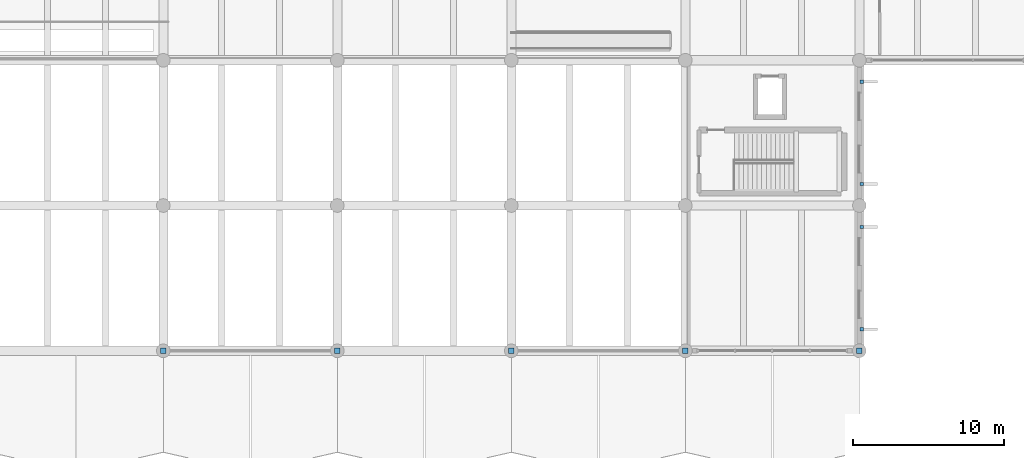
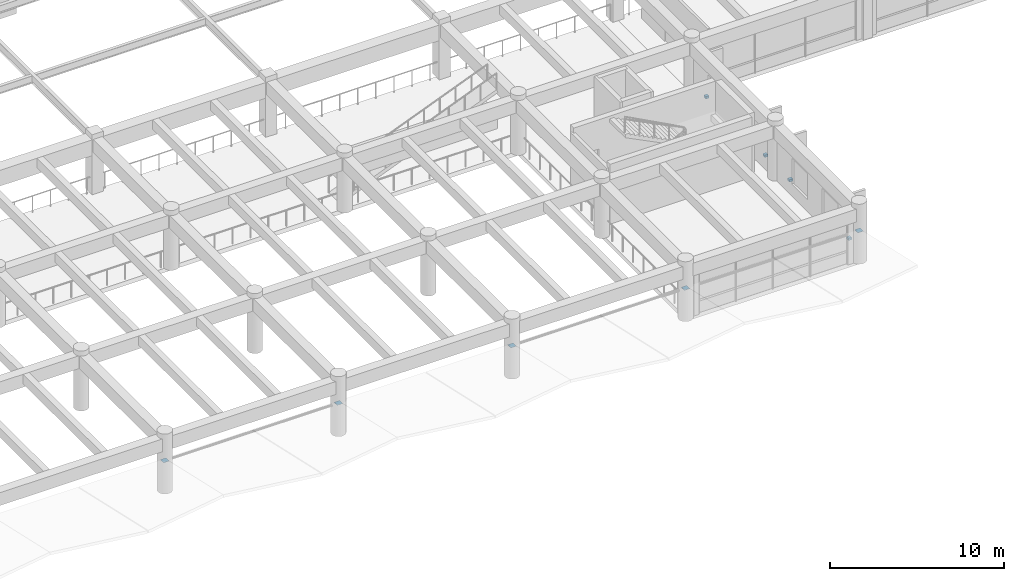
# One storey, part 85 of 98: 9 discrete accessories.
"""IFC4 building model written with IfcOpenShell, lengths in metres."""

from ifc_helpers import new_model, si_unit, direction, frame, origin, origin_2d, place, context, subcontext, project, spatial, rectangle, extrude, material, type_object, element, save


model = new_model("IFC4")

# Units and contexts
model_context = context("Model", 3, precision=1e-05, world=origin(), true_north=direction((0.0, 1.0)))
body_context = subcontext(model_context, "Body", "Model", "MODEL_VIEW")
ifc_project = project(units=[si_unit("LENGTHUNIT", "METRE"), si_unit("AREAUNIT", "SQUARE_METRE"), si_unit("VOLUMEUNIT", "CUBIC_METRE"), si_unit("PLANEANGLEUNIT", "RADIAN"), si_unit("MASSUNIT", "GRAM", prefix="KILO")], contexts=[model_context])

# Site, building, storey
site_placement = place(None, origin())
site = spatial("IfcSite", under=ifc_project, at=site_placement, CompositionType="ELEMENT")
building_placement = place(site_placement, origin())
building = spatial("IfcBuilding", under=site, at=building_placement, Name="Ologun Quay Terminus", CompositionType="ELEMENT")
storey_placement = place(building_placement, frame((0.0, 0.0, 4.199951171875)))
storey = spatial("IfcBuildingStorey", under=building, at=storey_placement, Name="L01", CompositionType="ELEMENT", Elevation=4.199951171875)

# Discrete accessories
ifc_material_1 = material(Name="Steel S355", Category="steel")
discrete_accessory_type_1 = type_object("IfcDiscreteAccessoryType", Name="Brace & Strut End Gusset Connection Plate 360x360x20", PredefinedType="BRACKET", material=ifc_material_1)
for number, where, z_axis, x_axis, name in (
    (1, (80.5, 8.0, 2.0400390625), (0.0, 0.0, 1.0), (1.0, 0.0, 0.0), "GUS-END Canopy Tie Gusset S-8-W"),
    (2, (92.0, 8.0, 2.0400390625), (0.0, 0.0, 1.0), (1.0, 0.0, 0.0), "GUS-END Canopy Tie Gusset S-8-E"),
    (3, (103.5, 8.0, 2.0400390625), (0.0, 0.0, 1.0), (1.0, 0.0, 0.0), "GUS-END Canopy Tie Gusset S-10-W"),
    (4, (115.0, 8.0, 2.0400390625), (0.0, 0.0, 1.0), (1.0, 0.0, 0.0), "GUS-END Canopy Tie Gusset S-10-E"),
    (5, (126.5, 8.0, 2.0400390625), (0.0, 0.0, 1.0), (1.0, 0.0, 0.0), "GUS-END Canopy Tie Gusset S-11-E"),
):
    element("IfcDiscreteAccessory", number, at=place(storey_placement, frame(where, z_axis=z_axis, x_axis=x_axis)), inside=storey, type_object=discrete_accessory_type_1, Name=name, PredefinedType="BRACKET", context=body_context, shape_type="SweptSolid", body=[
        extrude(rectangle(XDim=0.360107421875, YDim=0.360107421875, at=origin_2d()), origin(), (0.0, 0.0, 1.0), 0.02001953125),
    ])
ifc_material_2 = material(Name="Steel S355", Category="steel")
discrete_accessory_type_2 = type_object("IfcDiscreteAccessoryType", Name="Solar Fin Stainless Support Bracket", PredefinedType="BRACKET", material=ifc_material_2)
for number, where, z_axis, x_axis, name in (
    (6, (126.659912109375, 9.419921875, 0.52001953125), (0.0, 0.0, 1.0), (1.0, 0.0, 0.0), "BRK-01 Solar Fin Bracket WEW-SA-L01-2-11-1"),
    (7, (126.659912109375, 16.179931640625, 0.52001953125), (0.0, 0.0, 1.0), (1.0, 0.0, 0.0), "BRK-01 Solar Fin Bracket WEW-SA-L01-2-11-2"),
    (8, (126.659912109375, 19.02001953125, 0.52001953125), (0.0, 0.0, 1.0), (1.0, 0.0, 0.0), "BRK-01 Solar Fin Bracket WEW-SA-L01-2-12-1"),
    (9, (126.659912109375, 25.780029296875, 0.52001953125), (0.0, 0.0, 1.0), (1.0, 0.0, 0.0), "BRK-01 Solar Fin Bracket WEW-SA-L01-2-12-2"),
):
    element("IfcDiscreteAccessory", number, at=place(storey_placement, frame(where, z_axis=z_axis, x_axis=x_axis)), inside=storey, type_object=discrete_accessory_type_2, Name=name, PredefinedType="BRACKET", context=body_context, shape_type="SweptSolid", body=[
        extrude(rectangle(XDim=0.219970703125, YDim=0.219970703125, at=origin_2d()), origin(), (0.0, 0.0, 1.0), 0.159912109375),
    ])

save(model, "model.ifc")
